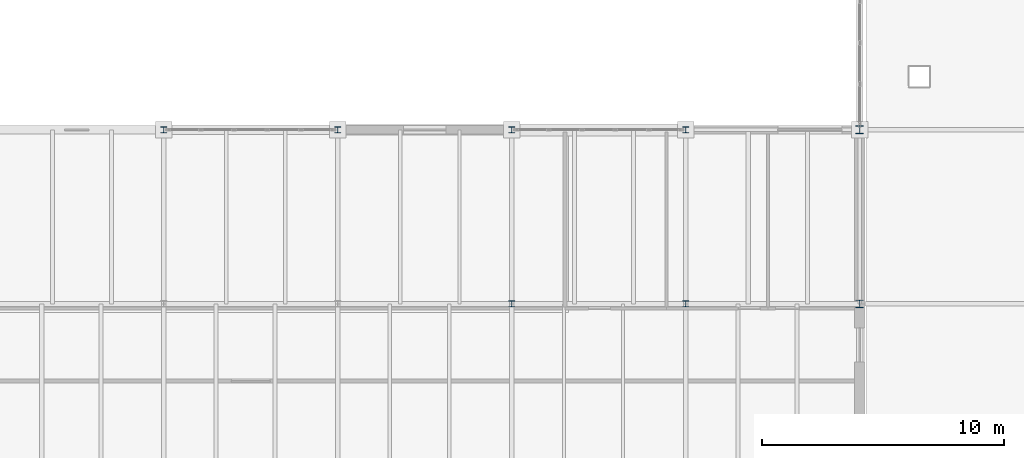
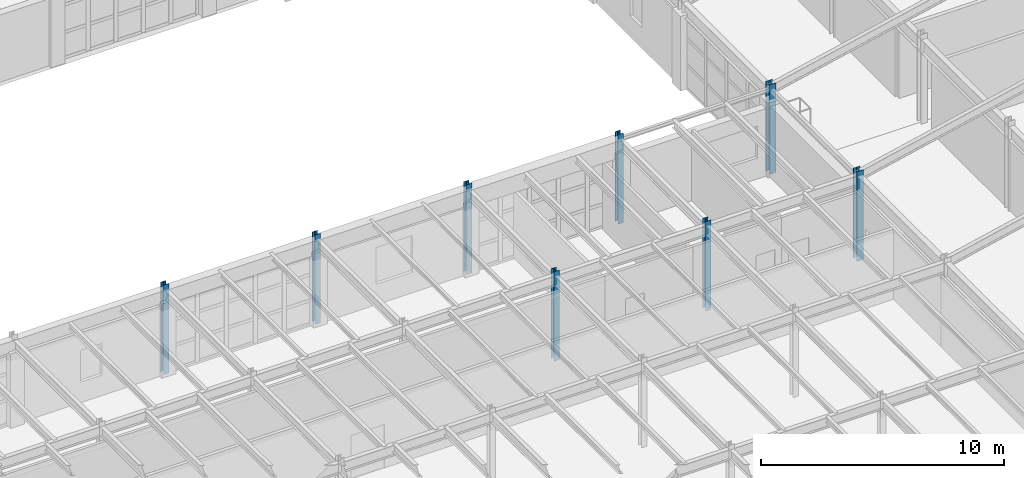
# One storey, part 13 of 137: 8 columns.
"""IFC4 building model written with IfcOpenShell, lengths in metres."""

from ifc_helpers import new_model, si_unit, direction, frame, origin, origin_2d, place, context, subcontext, project, spatial, i_section, extrude, material, material_profile, profile_set, type_object, element, save


model = new_model("IFC4")

# Units and contexts
model_context = context("Model", 3, precision=1e-05, world=origin(), true_north=direction((0.0, 1.0)))
body_context = subcontext(model_context, "Body", "Model", "MODEL_VIEW")
ifc_project = project(units=[si_unit("LENGTHUNIT", "METRE"), si_unit("AREAUNIT", "SQUARE_METRE"), si_unit("VOLUMEUNIT", "CUBIC_METRE"), si_unit("PLANEANGLEUNIT", "RADIAN"), si_unit("MASSUNIT", "GRAM", prefix="KILO")], contexts=[model_context])

# Site, building, storey
site_placement = place(None, origin())
site = spatial("IfcSite", under=ifc_project, at=site_placement, CompositionType="ELEMENT")
building_placement = place(site_placement, origin())
building = spatial("IfcBuilding", under=site, at=building_placement, Name="Kemerveld Promenade Tramway Depot", CompositionType="ELEMENT")
storey_placement = place(building_placement, frame((0.0, 0.0, 5.39990234375)))
storey = spatial("IfcBuildingStorey", under=building, at=storey_placement, Name="L01", CompositionType="ELEMENT", Elevation=5.39990234375)

# Columns
ifc_material = material(Name="Steel S355", Category="steel")
ifc_material_profile_1 = material_profile(ifc_material, i_section(OverallWidth=0.307373046875, OverallDepth=0.314453125, WebThickness=0.011962890625, FlangeThickness=0.018798828125, FilletRadius=0.01513671875, at=origin_2d()), Name="305x305x118 UC")
ifc_profile_set_1 = profile_set([ifc_material_profile_1], Name="Steel S355")
column_type_1 = type_object("IfcColumnType", Name="COL-S06", PredefinedType="COLUMN", material=ifc_profile_set_1)
for number, where, z_axis, x_axis, name in (
    (1, (158.39990234375, 21.60009765625, 0.0), (0.0, 0.0, 1.0), (1.0, 0.0, 0.0), "COL-L01-23-D"),
    (2, (158.39990234375, 28.800048828125, 0.0), (0.0, 0.0, 1.0), (1.0, 0.0, 0.0), "COL-L01-23-E"),
):
    element("IfcColumn", number, at=place(storey_placement, frame(where, z_axis=z_axis, x_axis=x_axis)), inside=storey, type_object=column_type_1, Name=name, PredefinedType="COLUMN", context=body_context, shape_type="SweptSolid", body=[
        extrude(i_section(OverallWidth=0.307373046875, OverallDepth=0.314453125, WebThickness=0.011962890625, FlangeThickness=0.018798828125, FilletRadius=0.01513671875, at=origin_2d()), origin(), (0.0, 0.0, 1.0), 4.5),
    ])
ifc_material_profile_2 = material_profile(ifc_material, i_section(OverallWidth=0.25634765625, OverallDepth=0.26025390625, WebThickness=0.01025390625, FlangeThickness=0.017333984375, FilletRadius=0.0126953125, at=origin_2d()), Name="254x254x89 UC")
ifc_profile_set_2 = profile_set([ifc_material_profile_2], Name="Steel S355")
column_type_2 = type_object("IfcColumnType", Name="COL-S08", PredefinedType="COLUMN", material=ifc_profile_set_2)
for number, where, z_axis, x_axis, name in (
    (3, (129.60009765625, 28.800048828125, 0.0), (0.0, 0.0, 1.0), (1.0, 0.0, 0.0), "COL-L01-19-E"),
    (4, (136.800048828125, 28.800048828125, 0.0), (0.0, 0.0, 1.0), (1.0, 0.0, 0.0), "COL-L01-20-E"),
    (5, (144.0, 21.60009765625, 0.0), (0.0, 0.0, 1.0), (1.0, 0.0, 0.0), "COL-L01-21-D"),
    (6, (144.0, 28.800048828125, 0.0), (0.0, 0.0, 1.0), (1.0, 0.0, 0.0), "COL-L01-21-E"),
    (7, (151.199951171875, 21.60009765625, 0.0), (0.0, 0.0, 1.0), (1.0, 0.0, 0.0), "COL-L01-22-D"),
    (8, (151.199951171875, 28.800048828125, 0.0), (0.0, 0.0, 1.0), (1.0, 0.0, 0.0), "COL-L01-22-E"),
):
    element("IfcColumn", number, at=place(storey_placement, frame(where, z_axis=z_axis, x_axis=x_axis)), inside=storey, type_object=column_type_2, Name=name, PredefinedType="COLUMN", context=body_context, shape_type="SweptSolid", body=[
        extrude(i_section(OverallWidth=0.25634765625, OverallDepth=0.26025390625, WebThickness=0.01025390625, FlangeThickness=0.017333984375, FilletRadius=0.0126953125, at=origin_2d()), origin(), (0.0, 0.0, 1.0), 4.5),
    ])

save(model, "model.ifc")
